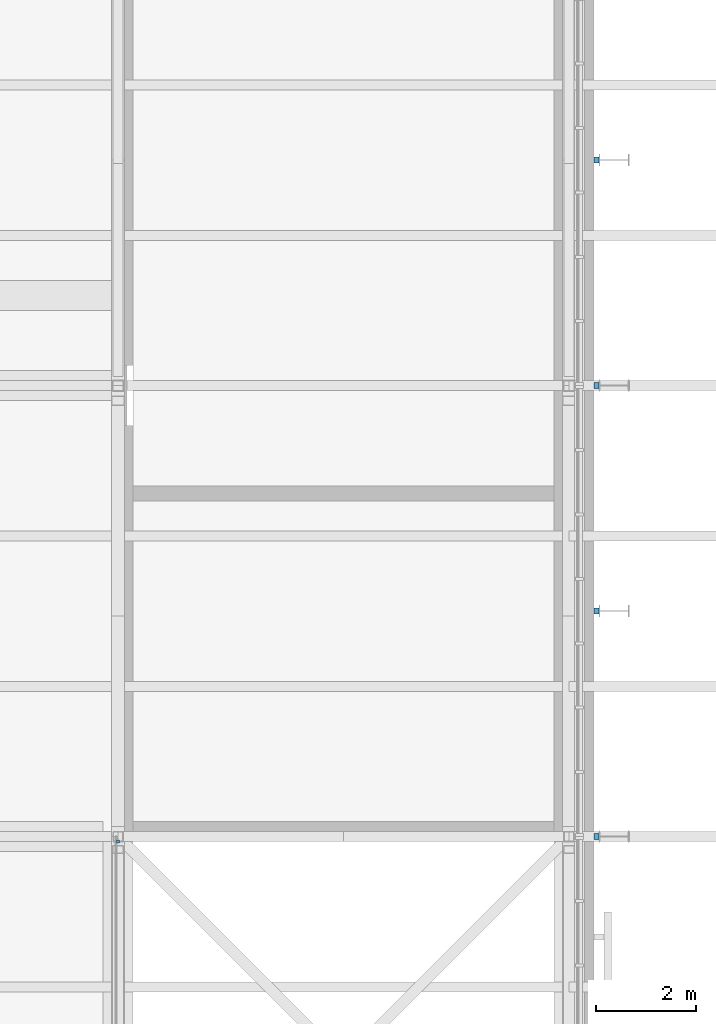
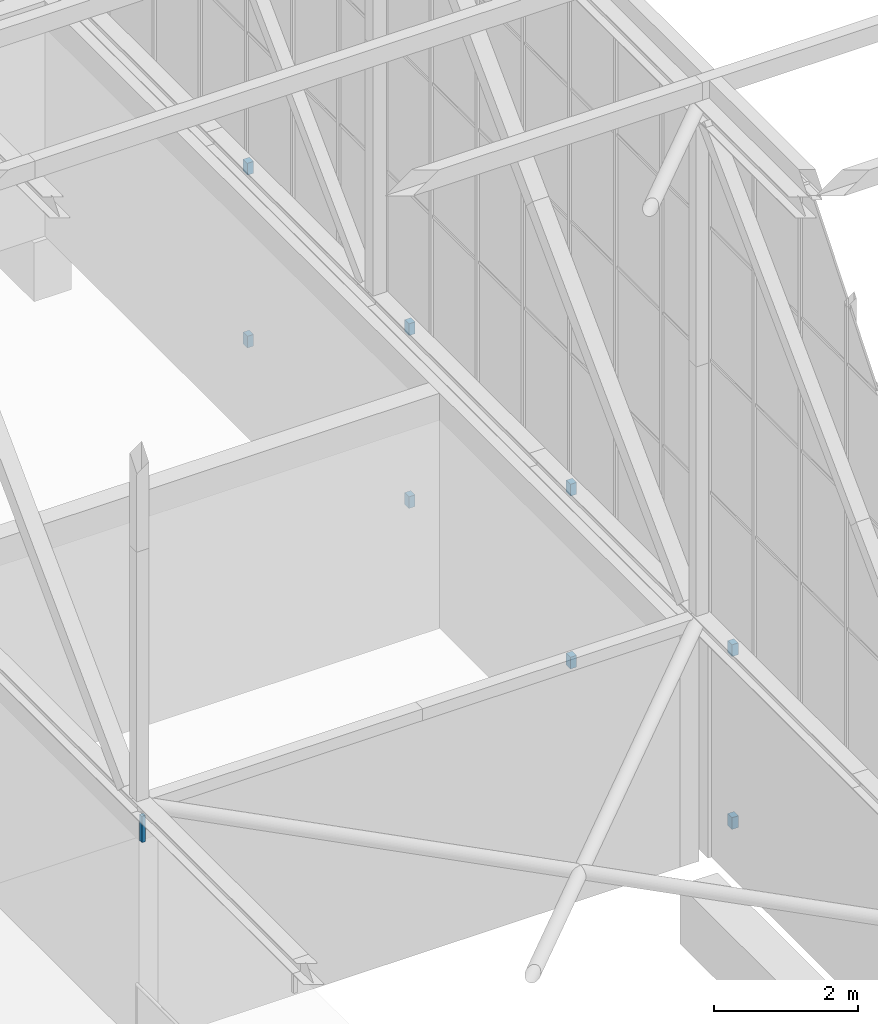
# One storey, part 222 of 646: 9 discrete accessories.
"""IFC4 building model written with IfcOpenShell, lengths in metres."""

import ifcopenshell
import ifcopenshell.guid

model = None  # the IFC model being written
_history = None  # IfcOwnerHistory: only IFC2X3 demands one
_inside = {}  # id of a spatial element -> (the spatial element, [elements in it])
_under = {}  # id of a project, library or spatial element -> (it, [spatial elements below it])
_declared = {}  # id of a project -> (the project, [libraries it declares])
_typed = {}  # id of a type object -> (the type object, [elements of that type])
_made_of = {}  # id of a material, layer set ... -> (it, [elements and type objects made of it])


def new_model(schema):
    """Start an empty IFC model of exactly this schema.

    Asked for "IFC4X3", IfcOpenShell would pick the latest addendum, in which some entities
    have other attributes; the version numbers below select the first issue.
    IFC2X3 requires an IfcOwnerHistory on every rooted entity: one is made here for all.
    """
    global model, _history
    if schema == "IFC4X3":
        model = ifcopenshell.file(schema_version=(4, 3, 0, 0))
    else:
        model = ifcopenshell.file(schema=schema)
    _inside.clear()
    _under.clear()
    _declared.clear()
    _typed.clear()
    _made_of.clear()
    _history = None
    if model.schema == "IFC2X3":
        org = make("IfcOrganization", Name="unknown")
        user = make(
            "IfcPersonAndOrganization",
            ThePerson=make("IfcPerson", FamilyName="unknown"),
            TheOrganization=org,
        )
        app = make(
            "IfcApplication",
            ApplicationDeveloper=org,
            Version="unknown",
            ApplicationFullName="unknown",
            ApplicationIdentifier="unknown",
        )
        _history = make(
            "IfcOwnerHistory",
            OwningUser=user,
            OwningApplication=app,
            ChangeAction="ADDED",
            CreationDate=0,
        )
    return model


def make(cls, **values):
    """One entity of the class cls with the attributes given. An attribute that is None is left unset."""
    return model.create_entity(
        cls, **{name: value for name, value in values.items() if value is not None}
    )


def rooted(cls, **values):
    """An entity with a GlobalId (a new one), such as an element, a storey or a relation."""
    return make(cls, GlobalId=ifcopenshell.guid.new(), OwnerHistory=_history, **values)


def si_unit(unit_type, name, prefix=None):
    """IfcSIUnit, for example si_unit("LENGTHUNIT", "METRE", prefix="MILLI")."""
    return make("IfcSIUnit", UnitType=unit_type, Prefix=prefix, Name=name)


def assignment(units):
    """IfcUnitAssignment: the units of a project."""
    return None if units is None else make("IfcUnitAssignment", Units=units)


def point(xyz):
    """IfcCartesianPoint."""
    return None if xyz is None else make("IfcCartesianPoint", Coordinates=xyz)


def direction(xyz):
    """IfcDirection."""
    return None if xyz is None else make("IfcDirection", DirectionRatios=xyz)


def frame(location, z_axis=None, x_axis=None):
    """IfcAxis2Placement3D, a coordinate frame: its origin and axes. An axis left out is left unset."""
    return make(
        "IfcAxis2Placement3D",
        Location=point(location),
        Axis=direction(z_axis),
        RefDirection=direction(x_axis),
    )


def frame_2d(location, x_axis=None):
    """IfcAxis2Placement2D, a coordinate frame in the plane: its origin and x axis."""
    return make(
        "IfcAxis2Placement2D", Location=point(location), RefDirection=direction(x_axis)
    )


def origin():
    """The frame at (0, 0, 0) with its axes left unset."""
    return frame((0.0, 0.0, 0.0))


def origin_2d():
    """The frame at (0, 0) in the plane with its x axis left unset."""
    return frame_2d((0.0, 0.0))


def place(relative_to, where):
    """IfcLocalPlacement: puts the frame where relative to a parent placement (None: the world)."""
    return make(
        "IfcLocalPlacement", PlacementRelTo=relative_to, RelativePlacement=where
    )


def context(
    kind, dimensions, precision=None, world=None, true_north=None, identifier=None
):
    """IfcGeometricRepresentationContext, for example the 3D "Model" context."""
    return make(
        "IfcGeometricRepresentationContext",
        ContextIdentifier=identifier,
        ContextType=kind,
        CoordinateSpaceDimension=dimensions,
        Precision=precision,
        WorldCoordinateSystem=world,
        TrueNorth=true_north,
    )


def subcontext(parent, identifier, kind, view, scale=None):
    """IfcGeometricRepresentationSubContext, for example "Body" below "Model"."""
    return make(
        "IfcGeometricRepresentationSubContext",
        ContextIdentifier=identifier,
        ContextType=kind,
        ParentContext=parent,
        TargetScale=scale,
        TargetView=view,
    )


def project(units=None, contexts=None):
    """IfcProject with its units and contexts."""
    return rooted(
        "IfcProject",
        Name="project",
        RepresentationContexts=contexts,
        UnitsInContext=assignment(units),
    )


def spatial(cls, under=None, at=None, **own):
    """A site, building, storey or space (cls), placed at a placement, below another one or the project."""
    s = rooted(cls, ObjectPlacement=at, **own)
    if under is not None:
        _under.setdefault(under.id(), (under, []))[1].append(s)
    return s


def profile(cls, at=None, kind="AREA", **sizes):
    """A parametric profile (cls). Its sizes go by their IFC names, for example OverallWidth=200.0."""
    return make(cls, ProfileType=kind, Position=at, **sizes)


def rectangle(**sizes):
    """IfcRectangleProfileDef."""
    return profile("IfcRectangleProfileDef", **sizes)


def extrude(swept, where, along, depth):
    """IfcExtrudedAreaSolid: the profile swept, set in the frame where, extruded along a direction by depth."""
    return make(
        "IfcExtrudedAreaSolid",
        SweptArea=swept,
        Position=where,
        ExtrudedDirection=direction(along),
        Depth=depth,
    )


def shape(context_of_items, identifier, shape_type, items):
    """IfcShapeRepresentation: the items that make up one representation, for example the "Body"."""
    return make(
        "IfcShapeRepresentation",
        ContextOfItems=context_of_items,
        RepresentationIdentifier=identifier,
        RepresentationType=shape_type,
        Items=items,
    )


def material(Name=None, Category=None):
    """IfcMaterial."""
    return make("IfcMaterial", Name=Name, Category=Category)


def made_of(thing, what):
    """Note that an element or type object is made of a material, layer set ...; save() writes the relation."""
    if what is not None:
        _made_of.setdefault(what.id(), (what, []))[1].append(thing)
    return thing


def type_object(cls, material=None, **own):
    """A type object (cls), such as IfcWallType, which elements share."""
    return made_of(rooted(cls, **own), material)


def element(
    cls,
    number,
    at=None,
    inside=None,
    cuts=None,
    type_object=None,
    material=None,
    context=None,
    identifier="Body",
    shape_type=None,
    held_by="IfcProductDefinitionShape",
    body=None,
    shapes=None,
    **own,
):
    """One element of the class cls, such as IfcWall. Its Tag is "e" and its number.

    at: its placement. inside: the storey or other place that contains it. cuts: it is an
    opening in that element (IfcRelVoidsElement). A single representation is given by context,
    identifier, shape_type and body (its items); several are given by shapes. held_by: the class
    of the entity that holds the representations. save() writes the other relations.
    """
    e = rooted(cls, Tag="e%d" % number, ObjectPlacement=at, **own)
    if body is not None:
        shapes = [shape(context, identifier, shape_type, body)]
    if shapes is not None:
        e.Representation = make(held_by, Representations=shapes)
    if inside is not None:
        _inside.setdefault(inside.id(), (inside, []))[1].append(e)
    if cuts is not None:
        rooted(
            "IfcRelVoidsElement", RelatingBuildingElement=cuts, RelatedOpeningElement=e
        )
    if type_object is not None:
        _typed.setdefault(type_object.id(), (type_object, []))[1].append(e)
    return made_of(e, material)


def aggregate(whole, parts):
    """IfcRelAggregates: a whole, such as a stair, and the parts it consists of."""
    return rooted("IfcRelAggregates", RelatingObject=whole, RelatedObjects=parts)


def save(model, path):
    """Write the relations noted so far, then the file.

    IfcRelAggregates (storeys below a building ...), IfcRelContainedInSpatialStructure (elements
    in a storey), IfcRelDefinesByType, IfcRelAssociatesMaterial and IfcRelDeclares: one each for
    every whole, place, type object, material and project.
    """
    for whole, parts in _under.values():
        aggregate(whole, parts)
    for where, things in _inside.values():
        rooted(
            "IfcRelContainedInSpatialStructure",
            RelatedElements=things,
            RelatingStructure=where,
        )
    for kind, things in _typed.values():
        rooted("IfcRelDefinesByType", RelatedObjects=things, RelatingType=kind)
    for what, things in _made_of.values():
        rooted("IfcRelAssociatesMaterial", RelatedObjects=things, RelatingMaterial=what)
    for by, libraries in _declared.values():
        rooted("IfcRelDeclares", RelatingContext=by, RelatedDefinitions=libraries)
    model.write(path)


model = new_model("IFC4")

# Units and contexts
model_context = context("Model", 3, precision=1e-05, world=origin(), true_north=direction((0.0, 1.0)))
body_context = subcontext(model_context, "Body", "Model", "MODEL_VIEW")
ifc_project = project(units=[si_unit("LENGTHUNIT", "METRE"), si_unit("AREAUNIT", "SQUARE_METRE"), si_unit("VOLUMEUNIT", "CUBIC_METRE"), si_unit("PLANEANGLEUNIT", "RADIAN"), si_unit("MASSUNIT", "GRAM", prefix="KILO")], contexts=[model_context])

# Site, building, storey
site_placement = place(None, origin())
site = spatial("IfcSite", under=ifc_project, at=site_placement, CompositionType="ELEMENT")
building_placement = place(site_placement, origin())
building = spatial("IfcBuilding", under=site, at=building_placement, Name="Silverbay Arena", CompositionType="ELEMENT")
storey_placement = place(building_placement, frame((0.0, 0.0, 33.5)))
storey = spatial("IfcBuildingStorey", under=building, at=storey_placement, Name="L05", CompositionType="ELEMENT", Elevation=33.5)

# Discrete accessories
ifc_material_1 = material(Name="Steel S355", Category="steel")
discrete_accessory_type_1 = type_object("IfcDiscreteAccessoryType", Name="Ceiling hanger", PredefinedType="BRACKET", material=ifc_material_1)
discrete_accessory_placement = place(storey_placement, frame((198.0, 89.905029296875, 3.5498046875), z_axis=(0.0, 0.0, 1.0), x_axis=(1.0, 0.0, 0.0)))
element("IfcDiscreteAccessory", 1, at=discrete_accessory_placement, inside=storey, type_object=discrete_accessory_type_1, Name="Ceiling hanger", PredefinedType="BRACKET", context=body_context, shape_type="SweptSolid", body=[
    extrude(rectangle(XDim=0.06005859375, YDim=0.06005859375, at=origin_2d()), origin(), (0.0, 0.0, 1.0), 0.449951171875),
])
ifc_material_2 = material(Name="Steel S355", Category="steel")
discrete_accessory_type_2 = type_object("IfcDiscreteAccessoryType", Name="Steel bracket plate", PredefinedType="BRACKET", material=ifc_material_2)
for number, where, z_axis, x_axis, name in (
    (2, (207.550048828125, 90.0, 0.39990234375), (0.0, 0.0, 1.0), (1.0, 0.0, 0.0), "Fin bracket"),
    (3, (207.550048828125, 90.0, 3.33984375), (0.0, 0.0, 1.0), (1.0, 0.0, 0.0), "Fin bracket"),
    (4, (207.550048828125, 94.5, 0.39990234375), (0.0, 0.0, 1.0), (1.0, 0.0, 0.0), "Fin bracket"),
    (5, (207.550048828125, 94.5, 3.33984375), (0.0, 0.0, 1.0), (1.0, 0.0, 0.0), "Fin bracket"),
    (6, (207.550048828125, 99.0, 0.39990234375), (0.0, 0.0, 1.0), (1.0, 0.0, 0.0), "Fin bracket"),
    (7, (207.550048828125, 99.0, 3.33984375), (0.0, 0.0, 1.0), (1.0, 0.0, 0.0), "Fin bracket"),
    (8, (207.550048828125, 103.5, 0.39990234375), (0.0, 0.0, 1.0), (1.0, 0.0, 0.0), "Fin bracket"),
    (9, (207.550048828125, 103.5, 3.33984375), (0.0, 0.0, 1.0), (1.0, 0.0, 0.0), "Fin bracket"),
):
    element("IfcDiscreteAccessory", number, at=place(storey_placement, frame(where, z_axis=z_axis, x_axis=x_axis)), inside=storey, type_object=discrete_accessory_type_2, Name=name, PredefinedType="BRACKET", context=body_context, shape_type="SweptSolid", body=[
        extrude(rectangle(XDim=0.10009765625, YDim=0.1201171875, at=origin_2d()), origin(), (0.0, 0.0, 1.0), 0.199951171875),
    ])

save(model, "model.ifc")
